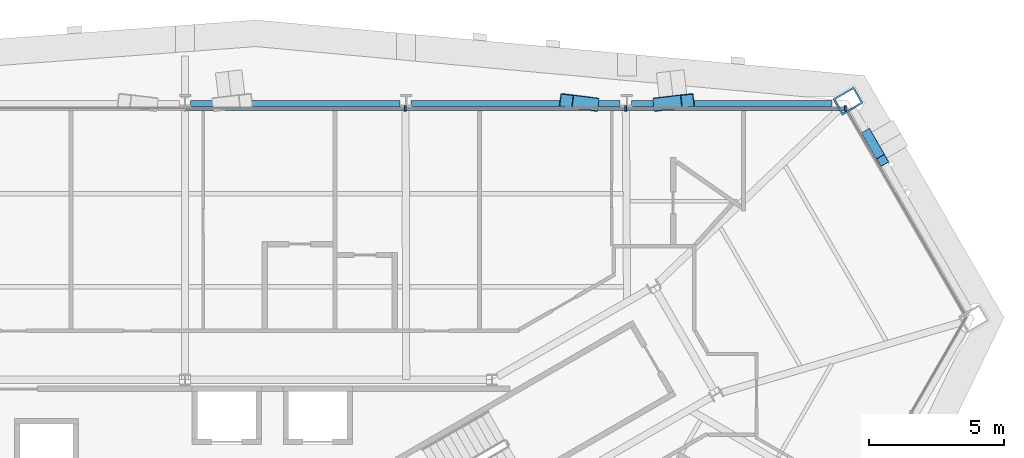
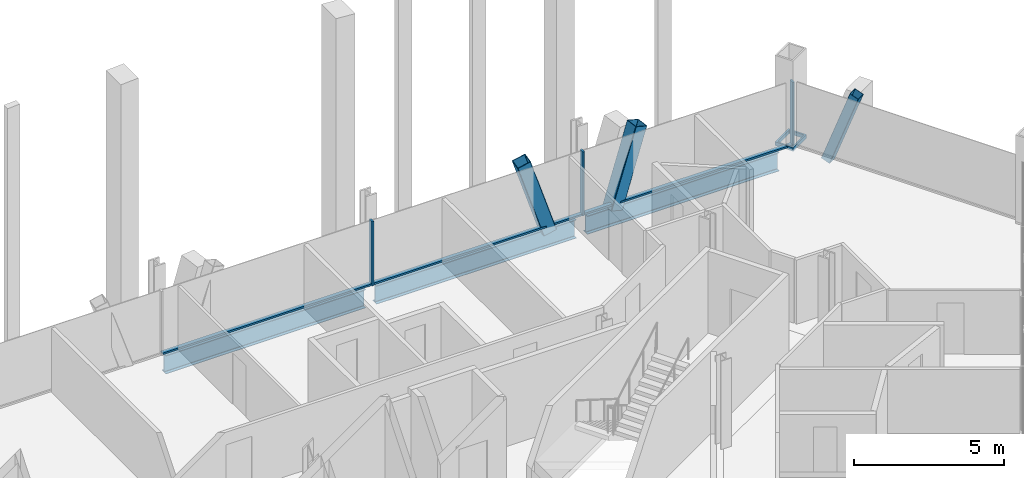
# One storey, part 11 of 19: 10 members, 3 beams, 1 element without a shape of its own.
"""IFC4 building model written with IfcOpenShell, lengths in metres."""

from ifc_helpers import new_model, si_unit, direction, frame, origin, origin_2d, place, context, subcontext, project, spatial, rectangle, hollow_rectangle, i_section, extrude, material, material_profile, profile_set, type_object, element, aggregate, save


model = new_model("IFC4")

# Units and contexts
model_context = context("Model", 3, precision=1e-05, world=origin(), true_north=direction((0.0, 1.0)))
body_context = subcontext(model_context, "Body", "Model", "MODEL_VIEW")
ifc_project = project(units=[si_unit("LENGTHUNIT", "METRE"), si_unit("AREAUNIT", "SQUARE_METRE"), si_unit("VOLUMEUNIT", "CUBIC_METRE"), si_unit("PLANEANGLEUNIT", "RADIAN"), si_unit("MASSUNIT", "GRAM", prefix="KILO")], contexts=[model_context])

# Site, building, storey
site_placement = place(None, origin())
site = spatial("IfcSite", under=ifc_project, at=site_placement, CompositionType="ELEMENT")
building_placement = place(site_placement, origin())
building = spatial("IfcBuilding", under=site, at=building_placement, Name="Verrane Prism Tower", CompositionType="ELEMENT")
storey_placement = place(building_placement, frame((0.0, 0.0, 121.60009765625)))
storey = spatial("IfcBuildingStorey", under=building, at=storey_placement, Name="L29", CompositionType="ELEMENT", Elevation=121.60009765625)

# Members
ifc_material_1 = material(Name="Steel A500 Grade C", Category="steel")
ifc_material_profile_1 = material_profile(ifc_material_1, hollow_rectangle(XDim=0.355712890625, YDim=0.355712890625, WallThickness=0.0126953125, InnerFilletRadius=0.00634765625, OuterFilletRadius=0.01904296875, at=origin_2d()), Name="HSS14x14x1/2")
ifc_profile_set_1 = profile_set([ifc_material_profile_1], Name="Steel A500 Grade C")
member_type_1 = type_object("IfcMemberType", Name="Chamfer brace HSS14x14x1/2", PredefinedType="BRACE", material=ifc_profile_set_1)
member_1_placement = place(storey_placement, frame((25.187744140625, 18.24609375, -0.2451171875), z_axis=(0.172796075776, -0.299360618695, 0.938362795603), x_axis=(0.866075331272, 0.499913513082, 0.0)))
element("IfcMember", 1, at=member_1_placement, inside=storey, type_object=member_type_1, Name="Chamfer brace NE0 L29", PredefinedType="BRACE", context=body_context, shape_type="SweptSolid", body=[
    extrude(hollow_rectangle(XDim=0.355712890625, YDim=0.355712890625, WallThickness=0.0126953125, InnerFilletRadius=0.00634765625, OuterFilletRadius=0.01904296875, at=origin_2d()), origin(), (0.0, 0.0, 1.0), 3.2001953125),
])
ifc_material_2 = material(Name="Steel A1085 Grade A", Category="steel")
ifc_material_profile_2 = material_profile(ifc_material_2, hollow_rectangle(XDim=0.508056640625, YDim=0.508056640625, WallThickness=0.025390625, InnerFilletRadius=0.0126953125, OuterFilletRadius=0.0380859375, at=origin_2d()), Name="HSS20x20x1")
ifc_profile_set_2 = profile_set([ifc_material_profile_2], Name="Steel A1085 Grade A")
member_type_2 = type_object("IfcMemberType", Name="Facade brace HSS20x20x1", PredefinedType="BRACE", material=ifc_profile_set_2)
member_2_placement = place(storey_placement, frame((17.526611328125, 19.371337890625, -0.24267578125), z_axis=(0.319463253999, 0.037348843263, 0.946862341236), x_axis=(-0.116120347205, 0.993235150891, 0.0)))
element("IfcMember", 2, at=member_2_placement, inside=storey, type_object=member_type_2, Name="Facade brace N0 L29", PredefinedType="BRACE", context=body_context, shape_type="SweptSolid", body=[
    extrude(hollow_rectangle(XDim=0.508056640625, YDim=0.508056640625, WallThickness=0.025390625, InnerFilletRadius=0.0126953125, OuterFilletRadius=0.0380859375, at=origin_2d()), origin(), (0.0, 0.0, 1.0), 3.1767578125),
])
member_3_placement = place(storey_placement, frame((15.010986328125, 19.371337890625, -0.24267578125), z_axis=(-0.297336163977, 0.037631608253, 0.954030957386), x_axis=(-0.125560873886, -0.992085917121, 0.0)))
element("IfcMember", 3, at=member_3_placement, inside=storey, type_object=member_type_2, Name="Facade brace N1 L29", PredefinedType="BRACE", context=body_context, shape_type="SweptSolid", body=[
    extrude(hollow_rectangle(XDim=0.508056640625, YDim=0.508056640625, WallThickness=0.025390625, InnerFilletRadius=0.0126953125, OuterFilletRadius=0.0380859375, at=origin_2d()), origin(), (0.0, 0.0, 1.0), 3.153076171875),
])
ifc_material_3 = material(Name="Steel A572 Grade 50", Category="steel")
ifc_material_profile_3 = material_profile(ifc_material_3, hollow_rectangle(XDim=0.699951171875, YDim=0.89990234375, WallThickness=0.06494140625, at=origin_2d()), Name="BOX 900x700x65")
ifc_profile_set_3 = profile_set([ifc_material_profile_3], Name="Steel A572 Grade 50")
member_type_3 = type_object("IfcMemberType", Name="Kink node BOX 900x700x65", PredefinedType="COLLAR", material=ifc_profile_set_3)
member_4_placement = place(storey_placement, frame((24.4658203125, 19.482666015625, -0.0751953125), z_axis=(0.0, 0.0, 1.0), x_axis=(0.5, -0.866025403784, 0.0)))
element("IfcMember", 4, at=member_4_placement, inside=storey, type_object=member_type_3, Name="Kink node MC3 L29", PredefinedType="COLLAR", context=body_context, shape_type="SweptSolid", body=[
    extrude(hollow_rectangle(XDim=0.699951171875, YDim=0.89990234375, WallThickness=0.06494140625, at=origin_2d()), origin(), (0.0, 0.0, 1.0), 0.150146484375),
])

# Curtain wall, members
ifc_material_4 = material(Name="Aluminium framed insulated glazing", Category="aluminium")
curtain_wall_type = type_object("IfcCurtainWallType", Name="Curtain wall CW-A 8400 module", PredefinedType="NOTDEFINED", material=ifc_material_4)
curtain_wall_placement = place(storey_placement, origin())
curtain_wall = element("IfcCurtainWall", 5, at=curtain_wall_placement, inside=storey, type_object=curtain_wall_type, Name="Glazed curtain wall north face L29", PredefinedType="NOTDEFINED")
ifc_material_5 = material(Name="Aluminium alloy 6063-T6", Category="aluminium")
ifc_material_profile_4 = material_profile(ifc_material_5, rectangle(XDim=0.199951171875, YDim=0.070068359375, at=origin_2d()), Name="Mullion 70x200 aluminium")
ifc_profile_set_4 = profile_set([ifc_material_profile_4], Name="Aluminium alloy 6063-T6")
member_type_4 = type_object("IfcMemberType", Name="Mullion 70x200 aluminium", PredefinedType="MULLION", material=ifc_profile_set_4)
member_5_placement = place(storey_placement, frame((24.363525390625, 19.2109375, 0.0), z_axis=(0.0, 0.0, 1.0), x_axis=(0.0, -1.0, 0.0)))
member_5 = element("IfcMember", 6, at=member_5_placement, type_object=member_type_4, Name="CW29.2 mullion 1", PredefinedType="MULLION", context=body_context, shape_type="SweptSolid", body=[
    extrude(rectangle(XDim=0.199951171875, YDim=0.070068359375, at=origin_2d()), origin(), (0.0, 0.0, 1.0), 2.61279296875),
])
member_6_placement = place(storey_placement, frame((16.265625, 19.2109375, 0.0), z_axis=(0.0, 0.0, 1.0), x_axis=(0.0, -1.0, 0.0)))
member_6 = element("IfcMember", 7, at=member_6_placement, type_object=member_type_4, Name="CW29.2 mullion 2", PredefinedType="MULLION", context=body_context, shape_type="SweptSolid", body=[
    extrude(rectangle(XDim=0.199951171875, YDim=0.070068359375, at=origin_2d()), origin(), (0.0, 0.0, 1.0), 2.61279296875),
])
member_7_placement = place(storey_placement, frame((8.1328125, 19.2109375, 0.0), z_axis=(0.0, 0.0, 1.0), x_axis=(0.0, -1.0, 0.0)))
member_7 = element("IfcMember", 8, at=member_7_placement, type_object=member_type_4, Name="CW29.2 mullion 3", PredefinedType="MULLION", context=body_context, shape_type="SweptSolid", body=[
    extrude(rectangle(XDim=0.199951171875, YDim=0.070068359375, at=origin_2d()), origin(), (0.0, 0.0, 1.0), 2.61279296875),
])

# Beams
ifc_material_6 = material(Name="Steel A992", Category="steel")
ifc_material_profile_5 = material_profile(ifc_material_6, i_section(OverallWidth=0.2666015625, OverallDepth=0.7568359375, WebThickness=0.013916015625, FlangeThickness=0.019287109375, FilletRadius=0.0166015625, at=origin_2d()), Name="W30x108")
ifc_profile_set_5 = profile_set([ifc_material_profile_5], Name="Steel A992")
beam_type = type_object("IfcBeamType", Name="Spandrel beam W30x108", PredefinedType="SPANDREL", material=ifc_profile_set_5)
beam_1_placement = place(storey_placement, frame((23.882568359375, 19.371337890625, -0.53857421875), z_axis=(-1.0, 0.0, 0.0), x_axis=(0.0, -1.0, 0.0)))
element("IfcBeam", 9, at=beam_1_placement, inside=storey, type_object=beam_type, Name="Spandrel beam L29", PredefinedType="SPANDREL", context=body_context, shape_type="SweptSolid", body=[
    extrude(i_section(OverallWidth=0.2666015625, OverallDepth=0.7568359375, WebThickness=0.013916015625, FlangeThickness=0.019287109375, FilletRadius=0.0166015625, at=origin_2d()), origin(), (0.0, 0.0, 1.0), 7.40869140625),
])
beam_2_placement = place(storey_placement, frame((16.0546875, 19.371337890625, -0.53857421875), z_axis=(-1.0, 0.0, 0.0), x_axis=(0.0, -1.0, 0.0)))
element("IfcBeam", 10, at=beam_2_placement, inside=storey, type_object=beam_type, Name="Spandrel beam L29", PredefinedType="SPANDREL", context=body_context, shape_type="SweptSolid", body=[
    extrude(i_section(OverallWidth=0.2666015625, OverallDepth=0.7568359375, WebThickness=0.013916015625, FlangeThickness=0.019287109375, FilletRadius=0.0166015625, at=origin_2d()), origin(), (0.0, 0.0, 1.0), 7.708984375),
])
beam_3_placement = place(storey_placement, frame((7.9267578125, 19.371337890625, -0.53857421875), z_axis=(-1.0, 0.0, 0.0), x_axis=(0.0, -1.0, 0.0)))
element("IfcBeam", 11, at=beam_3_placement, inside=storey, type_object=beam_type, Name="Spandrel beam L29", PredefinedType="SPANDREL", context=body_context, shape_type="SweptSolid", body=[
    extrude(i_section(OverallWidth=0.2666015625, OverallDepth=0.7568359375, WebThickness=0.013916015625, FlangeThickness=0.019287109375, FilletRadius=0.0166015625, at=origin_2d()), origin(), (0.0, 0.0, 1.0), 7.71728515625),
])

# Member
ifc_material_7 = material(Name="Aluminium alloy 6063-T6", Category="aluminium")
ifc_material_profile_6 = material_profile(ifc_material_7, rectangle(XDim=0.14990234375, YDim=0.070068359375, at=origin_2d()), Name="Transom 70x150 aluminium")
ifc_profile_set_6 = profile_set([ifc_material_profile_6], Name="Aluminium alloy 6063-T6")
member_type_5 = type_object("IfcMemberType", Name="Transom 70x150 aluminium", PredefinedType="USERDEFINED", material=ifc_profile_set_6)
member_8_placement = place(storey_placement, frame((24.32861328125, 19.2109375, 0.034912109375), z_axis=(-1.0, 0.0, 0.0), x_axis=(0.0, -1.0, 0.0)))
member_8 = element("IfcMember", 12, at=member_8_placement, type_object=member_type_5, Name="CW29.2 transom 1", ObjectType="TRANSOM", PredefinedType="USERDEFINED", context=body_context, shape_type="SweptSolid", body=[
    extrude(rectangle(XDim=0.14990234375, YDim=0.070068359375, at=origin_2d()), origin(), (0.0, 0.0, 1.0), 8.02783203125),
])

member_9_placement = place(storey_placement, frame((16.230712890625, 19.2109375, 0.034912109375), z_axis=(-1.0, 0.0, 0.0), x_axis=(0.0, -1.0, 0.0)))
member_9 = element("IfcMember", 13, at=member_9_placement, type_object=member_type_5, Name="CW29.2 transom 2", ObjectType="TRANSOM", PredefinedType="USERDEFINED", context=body_context, shape_type="SweptSolid", body=[
    extrude(rectangle(XDim=0.14990234375, YDim=0.070068359375, at=origin_2d()), origin(), (0.0, 0.0, 1.0), 8.062744140625),
])

member_10_placement = place(storey_placement, frame((8.097900390625, 19.2109375, 0.034912109375), z_axis=(-1.0, 0.0, 0.0), x_axis=(0.0, -1.0, 0.0)))
member_10 = element("IfcMember", 14, at=member_10_placement, type_object=member_type_5, Name="CW29.2 transom 3", ObjectType="TRANSOM", PredefinedType="USERDEFINED", context=body_context, shape_type="SweptSolid", body=[
    extrude(rectangle(XDim=0.14990234375, YDim=0.070068359375, at=origin_2d()), origin(), (0.0, 0.0, 1.0), 8.06298828125),
])

aggregate(curtain_wall, [member_5, member_6, member_7, member_8, member_9, member_10])

save(model, "model.ifc")
